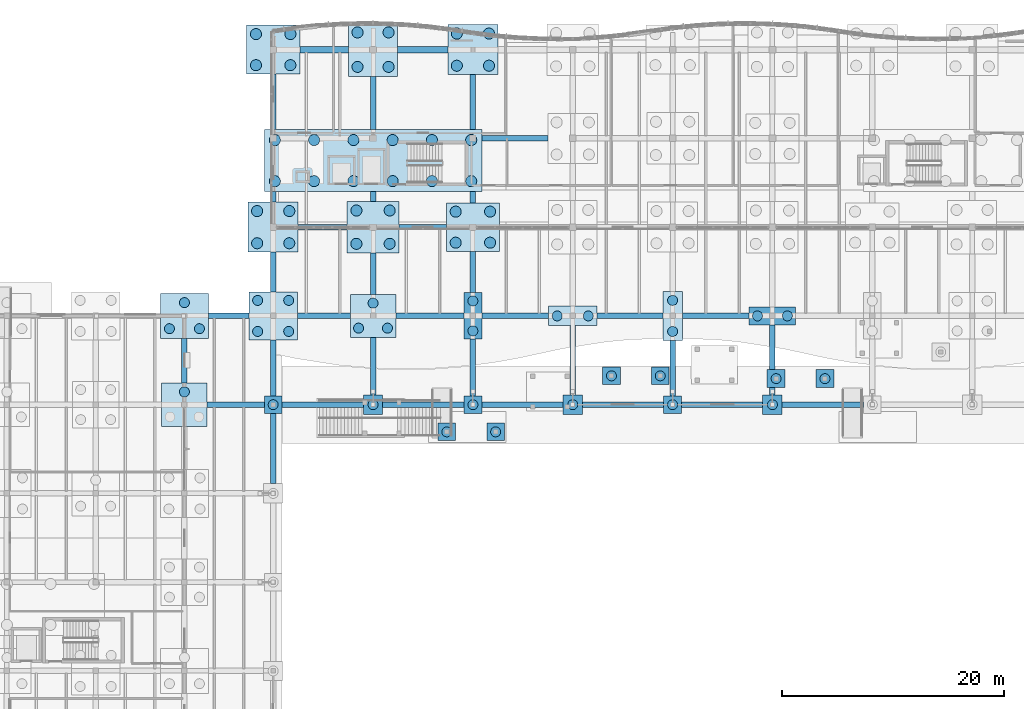
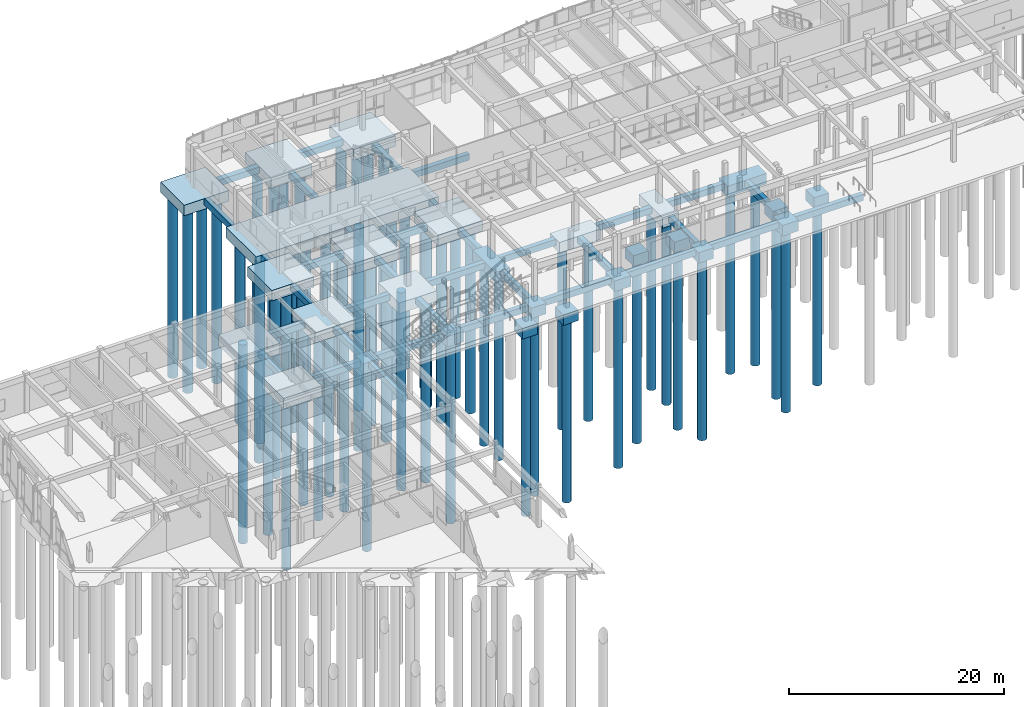
# One storey, part 4 of 99: 67 piles, 63 footings.
"""IFC4 building model written with IfcOpenShell, lengths in metres."""

from ifc_helpers import new_model, si_unit, direction, frame, origin, origin_2d, place, context, subcontext, project, spatial, rectangle, circle, extrude, material, material_profile, profile_set, type_object, element, save


model = new_model("IFC4")

# Units and contexts
model_context = context("Model", 3, precision=1e-05, world=origin(), true_north=direction((0.0, 1.0)))
body_context = subcontext(model_context, "Body", "Model", "MODEL_VIEW")
ifc_project = project(units=[si_unit("LENGTHUNIT", "METRE"), si_unit("AREAUNIT", "SQUARE_METRE"), si_unit("VOLUMEUNIT", "CUBIC_METRE"), si_unit("PLANEANGLEUNIT", "RADIAN"), si_unit("MASSUNIT", "GRAM", prefix="KILO")], contexts=[model_context])

# Site, building, storey
site_placement = place(None, origin())
site = spatial("IfcSite", under=ifc_project, at=site_placement, CompositionType="ELEMENT")
building_placement = place(site_placement, origin())
building = spatial("IfcBuilding", under=site, at=building_placement, Name="Tonlespit Floodbar School", CompositionType="ELEMENT")
storey_placement = place(building_placement, origin())
storey = spatial("IfcBuildingStorey", under=building, at=storey_placement, Name="L00", CompositionType="ELEMENT", Elevation=0.0)

# Footings
ifc_material_1 = material(Name="Concrete C40/50", Category="concrete")
footing_type_1 = type_object("IfcFootingType", Name="FootingBeam_RC_500x700", PredefinedType="FOOTING_BEAM", material=ifc_material_1)
footing_1_placement = place(storey_placement, frame((40.625, 88.0, -0.89990234375), z_axis=(0.0, 0.0, 1.0), x_axis=(1.0, 0.0, 0.0)))
element("IfcFooting", 1, at=footing_1_placement, inside=storey, type_object=footing_type_1, Name="Ground tie beam FB-087", PredefinedType="FOOTING_BEAM", context=body_context, shape_type="SweptSolid", body=[
    extrude(rectangle(XDim=5.14990234375, YDim=0.5, at=origin_2d()), origin(), (0.0, 0.0, 1.0), 0.699951171875),
])
for number, where, z_axis, x_axis, name in (
    (2, (48.46240234375, 88.0, -0.89990234375), (0.0, 0.0, 1.0), (1.0, 0.0, 0.0), "Ground tie beam FB-088"),
    (3, (57.53759765625, 88.0, -0.89990234375), (0.0, 0.0, 1.0), (1.0, 0.0, 0.0), "Ground tie beam FB-089"),
    (4, (66.46240234375, 88.0, -0.89990234375), (0.0, 0.0, 1.0), (1.0, 0.0, 0.0), "Ground tie beam FB-090"),
    (5, (75.53759765625, 88.0, -0.89990234375), (0.0, 0.0, 1.0), (1.0, 0.0, 0.0), "Ground tie beam FB-091"),
    (6, (84.46240234375, 88.0, -0.89990234375), (0.0, 0.0, 1.0), (1.0, 0.0, 0.0), "Ground tie beam FB-092"),
    (7, (93.53759765625, 88.0, -0.89990234375), (0.0, 0.0, 1.0), (1.0, 0.0, 0.0), "Ground tie beam FB-093"),
):
    element("IfcFooting", number, at=place(storey_placement, frame(where, z_axis=z_axis, x_axis=x_axis)), inside=storey, type_object=footing_type_1, Name=name, PredefinedType="FOOTING_BEAM", context=body_context, shape_type="SweptSolid", body=[
        extrude(rectangle(XDim=7.324951171875, YDim=0.5, at=origin_2d()), origin(), (0.0, 0.0, 1.0), 0.699951171875),
    ])
footing_2_placement = place(storey_placement, frame((39.987548828125, 96.0, -0.89990234375), z_axis=(0.0, 0.0, 1.0), x_axis=(1.0, 0.0, 0.0)))
element("IfcFooting", 8, at=footing_2_placement, inside=storey, type_object=footing_type_1, Name="Ground tie beam FB-104", PredefinedType="FOOTING_BEAM", context=body_context, shape_type="SweptSolid", body=[
    extrude(rectangle(XDim=3.675048828125, YDim=0.5, at=origin_2d()), origin(), (0.0, 0.0, 1.0), 0.699951171875),
])
footing_3_placement = place(storey_placement, frame((48.5625, 96.0, -0.89990234375), z_axis=(0.0, 0.0, 1.0), x_axis=(1.0, 0.0, 0.0)))
element("IfcFooting", 9, at=footing_3_placement, inside=storey, type_object=footing_type_1, Name="Ground tie beam FB-105", PredefinedType="FOOTING_BEAM", context=body_context, shape_type="SweptSolid", body=[
    extrude(rectangle(XDim=4.77490234375, YDim=0.5, at=origin_2d()), origin(), (0.0, 0.0, 1.0), 0.699951171875),
])
footing_4_placement = place(storey_placement, frame((58.125, 96.0, -0.89990234375), z_axis=(0.0, 0.0, 1.0), x_axis=(1.0, 0.0, 0.0)))
element("IfcFooting", 10, at=footing_4_placement, inside=storey, type_object=footing_type_1, Name="Ground tie beam FB-106", PredefinedType="FOOTING_BEAM", context=body_context, shape_type="SweptSolid", body=[
    extrude(rectangle(XDim=6.14990234375, YDim=0.5, at=origin_2d()), origin(), (0.0, 0.0, 1.0), 0.699951171875),
])
footing_5_placement = place(storey_placement, frame((65.800048828125, 96.0, -0.89990234375), z_axis=(0.0, 0.0, 1.0), x_axis=(1.0, 0.0, 0.0)))
element("IfcFooting", 11, at=footing_5_placement, inside=storey, type_object=footing_type_1, Name="Ground tie beam FB-107", PredefinedType="FOOTING_BEAM", context=body_context, shape_type="SweptSolid", body=[
    extrude(rectangle(XDim=6.0, YDim=0.5, at=origin_2d()), origin(), (0.0, 0.0, 1.0), 0.699951171875),
])
footing_6_placement = place(storey_placement, frame((76.16259765625, 96.0, -0.89990234375), z_axis=(0.0, 0.0, 1.0), x_axis=(1.0, 0.0, 0.0)))
element("IfcFooting", 12, at=footing_6_placement, inside=storey, type_object=footing_type_1, Name="Ground tie beam FB-108", PredefinedType="FOOTING_BEAM", context=body_context, shape_type="SweptSolid", body=[
    extrude(rectangle(XDim=5.925048828125, YDim=0.5, at=origin_2d()), origin(), (0.0, 0.0, 1.0), 0.699951171875),
])
footing_7_placement = place(storey_placement, frame((83.887451171875, 96.0, -0.89990234375), z_axis=(0.0, 0.0, 1.0), x_axis=(1.0, 0.0, 0.0)))
element("IfcFooting", 13, at=footing_7_placement, inside=storey, type_object=footing_type_1, Name="Ground tie beam FB-109", PredefinedType="FOOTING_BEAM", context=body_context, shape_type="SweptSolid", body=[
    extrude(rectangle(XDim=6.02490234375, YDim=0.5, at=origin_2d()), origin(), (0.0, 0.0, 1.0), 0.699951171875),
])
footing_8_placement = place(storey_placement, frame((48.46240234375, 104.0, -0.89990234375), z_axis=(0.0, 0.0, 1.0), x_axis=(1.0, 0.0, 0.0)))
element("IfcFooting", 14, at=footing_8_placement, inside=storey, type_object=footing_type_1, Name="Ground tie beam FB-117", PredefinedType="FOOTING_BEAM", context=body_context, shape_type="SweptSolid", body=[
    extrude(rectangle(XDim=4.425048828125, YDim=0.5, at=origin_2d()), origin(), (0.0, 0.0, 1.0), 0.699951171875),
])
footing_9_placement = place(storey_placement, frame((57.46240234375, 104.0, -0.89990234375), z_axis=(0.0, 0.0, 1.0), x_axis=(1.0, 0.0, 0.0)))
element("IfcFooting", 15, at=footing_9_placement, inside=storey, type_object=footing_type_1, Name="Ground tie beam FB-118", PredefinedType="FOOTING_BEAM", context=body_context, shape_type="SweptSolid", body=[
    extrude(rectangle(XDim=4.27490234375, YDim=0.5, at=origin_2d()), origin(), (0.0, 0.0, 1.0), 0.699951171875),
])
footing_10_placement = place(storey_placement, frame((65.77490234375, 112.0, -0.89990234375), z_axis=(0.0, 0.0, 1.0), x_axis=(1.0, 0.0, 0.0)))
element("IfcFooting", 16, at=footing_10_placement, inside=storey, type_object=footing_type_1, Name="Ground tie beam FB-134", PredefinedType="FOOTING_BEAM", context=body_context, shape_type="SweptSolid", body=[
    extrude(rectangle(XDim=5.949951171875, YDim=0.5, at=origin_2d()), origin(), (0.0, 0.0, 1.0), 0.699951171875),
])
footing_11_placement = place(storey_placement, frame((36.0, 91.96240234375, -0.89990234375), z_axis=(0.0, 0.0, 1.0), x_axis=(0.0, 1.0, 0.0)))
element("IfcFooting", 17, at=footing_11_placement, inside=storey, type_object=footing_type_1, Name="Ground tie beam FB-216", PredefinedType="FOOTING_BEAM", context=body_context, shape_type="SweptSolid", body=[
    extrude(rectangle(XDim=4.02490234375, YDim=0.5, at=origin_2d()), origin(), (0.0, 0.0, 1.0), 0.699951171875),
])
footing_12_placement = place(storey_placement, frame((44.0, 84.03759765625, -0.89990234375), z_axis=(0.0, 0.0, 1.0), x_axis=(0.0, 1.0, 0.0)))
element("IfcFooting", 18, at=footing_12_placement, inside=storey, type_object=footing_type_1, Name="Ground tie beam FB-228", PredefinedType="FOOTING_BEAM", context=body_context, shape_type="SweptSolid", body=[
    extrude(rectangle(XDim=6.324951171875, YDim=0.5, at=origin_2d()), origin(), (0.0, 0.0, 1.0), 0.699951171875),
])
footing_13_placement = place(storey_placement, frame((44.0, 91.3125, -0.89990234375), z_axis=(0.0, 0.0, 1.0), x_axis=(0.0, 1.0, 0.0)))
element("IfcFooting", 19, at=footing_13_placement, inside=storey, type_object=footing_type_1, Name="Ground tie beam FB-229", PredefinedType="FOOTING_BEAM", context=body_context, shape_type="SweptSolid", body=[
    extrude(rectangle(XDim=5.02490234375, YDim=0.5, at=origin_2d()), origin(), (0.0, 0.0, 1.0), 0.699951171875),
])
footing_14_placement = place(storey_placement, frame((44.0, 99.96240234375, -0.89990234375), z_axis=(0.0, 0.0, 1.0), x_axis=(0.0, 1.0, 0.0)))
element("IfcFooting", 20, at=footing_14_placement, inside=storey, type_object=footing_type_1, Name="Ground tie beam FB-230", PredefinedType="FOOTING_BEAM", context=body_context, shape_type="SweptSolid", body=[
    extrude(rectangle(XDim=3.574951171875, YDim=0.5, at=origin_2d()), origin(), (0.0, 0.0, 1.0), 0.699951171875),
])
footing_15_placement = place(storey_placement, frame((44.0, 106.72509765625, -0.89990234375), z_axis=(0.0, 0.0, 1.0), x_axis=(0.0, 1.0, 0.0)))
element("IfcFooting", 21, at=footing_15_placement, inside=storey, type_object=footing_type_1, Name="Ground tie beam FB-231", PredefinedType="FOOTING_BEAM", context=body_context, shape_type="SweptSolid", body=[
    extrude(rectangle(XDim=0.949951171875, YDim=0.5, at=origin_2d()), origin(), (0.0, 0.0, 1.0), 0.699951171875),
])
footing_16_placement = place(storey_placement, frame((44.0, 115.300048828125, -0.89990234375), z_axis=(0.0, 0.0, 1.0), x_axis=(0.0, 1.0, 0.0)))
element("IfcFooting", 22, at=footing_16_placement, inside=storey, type_object=footing_type_1, Name="Ground tie beam FB-232", PredefinedType="FOOTING_BEAM", context=body_context, shape_type="SweptSolid", body=[
    extrude(rectangle(XDim=5.0, YDim=0.5, at=origin_2d()), origin(), (0.0, 0.0, 1.0), 0.699951171875),
])
footing_17_placement = place(storey_placement, frame((53.0, 91.46240234375, -0.89990234375), z_axis=(0.0, 0.0, 1.0), x_axis=(0.0, 1.0, 0.0)))
element("IfcFooting", 23, at=footing_17_placement, inside=storey, type_object=footing_type_1, Name="Ground tie beam FB-233", PredefinedType="FOOTING_BEAM", context=body_context, shape_type="SweptSolid", body=[
    extrude(rectangle(XDim=5.175048828125, YDim=0.5, at=origin_2d()), origin(), (0.0, 0.0, 1.0), 0.699951171875),
])
footing_18_placement = place(storey_placement, frame((53.0, 99.8125, -0.89990234375), z_axis=(0.0, 0.0, 1.0), x_axis=(0.0, 1.0, 0.0)))
element("IfcFooting", 24, at=footing_18_placement, inside=storey, type_object=footing_type_1, Name="Ground tie beam FB-234", PredefinedType="FOOTING_BEAM", context=body_context, shape_type="SweptSolid", body=[
    extrude(rectangle(XDim=3.72509765625, YDim=0.5, at=origin_2d()), origin(), (0.0, 0.0, 1.0), 0.699951171875),
])
footing_19_placement = place(storey_placement, frame((53.0, 106.762451171875, -0.89990234375), z_axis=(0.0, 0.0, 1.0), x_axis=(0.0, 1.0, 0.0)))
element("IfcFooting", 25, at=footing_19_placement, inside=storey, type_object=footing_type_1, Name="Ground tie beam FB-235", PredefinedType="FOOTING_BEAM", context=body_context, shape_type="SweptSolid", body=[
    extrude(rectangle(XDim=0.875, YDim=0.5, at=origin_2d()), origin(), (0.0, 0.0, 1.0), 0.699951171875),
])
footing_20_placement = place(storey_placement, frame((53.0, 115.199951171875, -0.89990234375), z_axis=(0.0, 0.0, 1.0), x_axis=(0.0, 1.0, 0.0)))
element("IfcFooting", 26, at=footing_20_placement, inside=storey, type_object=footing_type_1, Name="Ground tie beam FB-236", PredefinedType="FOOTING_BEAM", context=body_context, shape_type="SweptSolid", body=[
    extrude(rectangle(XDim=4.800048828125, YDim=0.5, at=origin_2d()), origin(), (0.0, 0.0, 1.0), 0.699951171875),
])
footing_21_placement = place(storey_placement, frame((62.0, 91.35009765625, -0.89990234375), z_axis=(0.0, 0.0, 1.0), x_axis=(0.0, 1.0, 0.0)))
element("IfcFooting", 27, at=footing_21_placement, inside=storey, type_object=footing_type_1, Name="Ground tie beam FB-237", PredefinedType="FOOTING_BEAM", context=body_context, shape_type="SweptSolid", body=[
    extrude(rectangle(XDim=5.10009765625, YDim=0.5, at=origin_2d()), origin(), (0.0, 0.0, 1.0), 0.699951171875),
])
footing_22_placement = place(storey_placement, frame((62.0, 99.949951171875, -0.89990234375), z_axis=(0.0, 0.0, 1.0), x_axis=(0.0, 1.0, 0.0)))
element("IfcFooting", 28, at=footing_22_placement, inside=storey, type_object=footing_type_1, Name="Ground tie beam FB-238", PredefinedType="FOOTING_BEAM", context=body_context, shape_type="SweptSolid", body=[
    extrude(rectangle(XDim=3.699951171875, YDim=0.5, at=origin_2d()), origin(), (0.0, 0.0, 1.0), 0.699951171875),
])
footing_23_placement = place(storey_placement, frame((62.0, 106.699951171875, -0.89990234375), z_axis=(0.0, 0.0, 1.0), x_axis=(0.0, 1.0, 0.0)))
element("IfcFooting", 29, at=footing_23_placement, inside=storey, type_object=footing_type_1, Name="Ground tie beam FB-239", PredefinedType="FOOTING_BEAM", context=body_context, shape_type="SweptSolid", body=[
    extrude(rectangle(XDim=1.0, YDim=0.5, at=origin_2d()), origin(), (0.0, 0.0, 1.0), 0.699951171875),
])
footing_24_placement = place(storey_placement, frame((62.0, 115.27490234375, -0.89990234375), z_axis=(0.0, 0.0, 1.0), x_axis=(0.0, 1.0, 0.0)))
element("IfcFooting", 30, at=footing_24_placement, inside=storey, type_object=footing_type_1, Name="Ground tie beam FB-240", PredefinedType="FOOTING_BEAM", context=body_context, shape_type="SweptSolid", body=[
    extrude(rectangle(XDim=4.949951171875, YDim=0.5, at=origin_2d()), origin(), (0.0, 0.0, 1.0), 0.699951171875),
])
footing_25_placement = place(storey_placement, frame((71.0, 92.0, -0.89990234375), z_axis=(0.0, 0.0, 1.0), x_axis=(0.0, 1.0, 0.0)))
element("IfcFooting", 31, at=footing_25_placement, inside=storey, type_object=footing_type_1, Name="Ground tie beam FB-241", PredefinedType="FOOTING_BEAM", context=body_context, shape_type="SweptSolid", body=[
    extrude(rectangle(XDim=6.25, YDim=0.5, at=origin_2d()), origin(), (0.0, 0.0, 1.0), 0.699951171875),
])
footing_26_placement = place(storey_placement, frame((80.0, 91.300048828125, -0.89990234375), z_axis=(0.0, 0.0, 1.0), x_axis=(0.0, 1.0, 0.0)))
element("IfcFooting", 32, at=footing_26_placement, inside=storey, type_object=footing_type_1, Name="Ground tie beam FB-245", PredefinedType="FOOTING_BEAM", context=body_context, shape_type="SweptSolid", body=[
    extrude(rectangle(XDim=5.0, YDim=0.5, at=origin_2d()), origin(), (0.0, 0.0, 1.0), 0.699951171875),
])
footing_27_placement = place(storey_placement, frame((89.0, 89.21240234375, -0.89990234375), z_axis=(0.0, 0.0, 1.0), x_axis=(0.0, 1.0, 0.0)))
element("IfcFooting", 33, at=footing_27_placement, inside=storey, type_object=footing_type_1, Name="Ground tie beam FB-249", PredefinedType="FOOTING_BEAM", context=body_context, shape_type="SweptSolid", body=[
    extrude(rectangle(XDim=0.675048828125, YDim=0.5, at=origin_2d()), origin(), (0.0, 0.0, 1.0), 0.699951171875),
])
footing_28_placement = place(storey_placement, frame((89.0, 93.175048828125, -0.89990234375), z_axis=(0.0, 0.0, 1.0), x_axis=(0.0, 1.0, 0.0)))
element("IfcFooting", 34, at=footing_28_placement, inside=storey, type_object=footing_type_1, Name="Ground tie beam FB-250", PredefinedType="FOOTING_BEAM", context=body_context, shape_type="SweptSolid", body=[
    extrude(rectangle(XDim=4.050048828125, YDim=0.5, at=origin_2d()), origin(), (0.0, 0.0, 1.0), 0.699951171875),
])
footing_type_2 = type_object("IfcFootingType", Name="PileCap_1P_1600", PredefinedType="PILE_CAP", material=ifc_material_1)
for number, where, z_axis, x_axis, name in (
    (35, (44.0, 88.0, -1.39990234375), (0.0, 0.0, 1.0), (1.0, 0.0, 0.0), "Pile cap FC-079 at U06/V13"),
    (36, (62.0, 88.0, -1.39990234375), (0.0, 0.0, 1.0), (1.0, 0.0, 0.0), "Pile cap FC-089 at U08/V13"),
    (37, (80.0, 88.0, -1.39990234375), (0.0, 0.0, 1.0), (1.0, 0.0, 0.0), "Pile cap FC-099 at U10/V13"),
    (38, (59.64990234375, 85.550048828125, -1.39990234375), (0.0, 0.0, 1.0), (1.0, 0.0, 0.0), "Courtyard amphitheatre cap FC-AMP-1-1"),
    (39, (64.050048828125, 85.550048828125, -1.39990234375), (0.0, 0.0, 1.0), (1.0, 0.0, 0.0), "Courtyard amphitheatre cap FC-AMP-1-2"),
    (40, (74.489990234375, 90.60009765625, -1.39990234375), (0.0, 0.0, 1.0), (1.0, 0.0, 0.0), "Courtyard amphitheatre cap FC-AMP-2-1"),
    (41, (78.889892578125, 90.60009765625, -1.39990234375), (0.0, 0.0, 1.0), (1.0, 0.0, 0.0), "Courtyard amphitheatre cap FC-AMP-2-2"),
    (42, (89.330078125, 90.35009765625, -1.39990234375), (0.0, 0.0, 1.0), (1.0, 0.0, 0.0), "Courtyard amphitheatre cap FC-AMP-3-1"),
    (43, (93.72998046875, 90.35009765625, -1.39990234375), (0.0, 0.0, 1.0), (1.0, 0.0, 0.0), "Courtyard amphitheatre cap FC-AMP-3-2"),
):
    element("IfcFooting", number, at=place(storey_placement, frame(where, z_axis=z_axis, x_axis=x_axis)), inside=storey, type_object=footing_type_2, Name=name, PredefinedType="PILE_CAP", context=body_context, shape_type="SweptSolid", body=[
        extrude(rectangle(XDim=1.60009765625, YDim=1.60009765625, at=origin_2d()), origin(), (0.0, 0.0, 1.0), 1.199951171875),
    ])
footing_type_3 = type_object("IfcFootingType", Name="PileCap_1P_1750", PredefinedType="PILE_CAP", material=ifc_material_1)
for number, where, z_axis, x_axis, name in (
    (44, (53.0, 88.0, -1.39990234375), (0.0, 0.0, 1.0), (1.0, 0.0, 0.0), "Pile cap FC-084 at U07/V13"),
    (45, (71.0, 88.0, -1.39990234375), (0.0, 0.0, 1.0), (1.0, 0.0, 0.0), "Pile cap FC-094 at U09/V13"),
    (46, (89.0, 88.0, -1.39990234375), (0.0, 0.0, 1.0), (1.0, 0.0, 0.0), "Pile cap FC-104 at U11/V13"),
):
    element("IfcFooting", number, at=place(storey_placement, frame(where, z_axis=z_axis, x_axis=x_axis)), inside=storey, type_object=footing_type_3, Name=name, PredefinedType="PILE_CAP", context=body_context, shape_type="SweptSolid", body=[
        extrude(rectangle(XDim=1.75, YDim=1.75, at=origin_2d()), origin(), (0.0, 0.0, 1.0), 1.199951171875),
    ])
footing_type_4 = type_object("IfcFootingType", Name="PileCap_2PX_4200x1600", PredefinedType="PILE_CAP", material=ifc_material_1)
footing_29_placement = place(storey_placement, frame((89.0, 96.0, -1.39990234375), z_axis=(0.0, 0.0, 1.0), x_axis=(1.0, 0.0, 0.0)))
element("IfcFooting", 47, at=footing_29_placement, inside=storey, type_object=footing_type_4, Name="Pile cap FC-105 at U11/V14", PredefinedType="PILE_CAP", context=body_context, shape_type="SweptSolid", body=[
    extrude(rectangle(XDim=4.199951171875, YDim=1.60009765625, at=origin_2d()), origin(), (0.0, 0.0, 1.0), 1.199951171875),
])
footing_type_5 = type_object("IfcFootingType", Name="PileCap_2PX_4400x1750", PredefinedType="PILE_CAP", material=ifc_material_1)
footing_30_placement = place(storey_placement, frame((71.0, 96.0, -1.39990234375), z_axis=(0.0, 0.0, 1.0), x_axis=(1.0, 0.0, 0.0)))
element("IfcFooting", 48, at=footing_30_placement, inside=storey, type_object=footing_type_5, Name="Pile cap FC-095 at U09/V14", PredefinedType="PILE_CAP", context=body_context, shape_type="SweptSolid", body=[
    extrude(rectangle(XDim=4.39990234375, YDim=1.75, at=origin_2d()), origin(), (0.0, 0.0, 1.0), 1.199951171875),
])
footing_type_6 = type_object("IfcFootingType", Name="PileCap_2PY_1600x4200", PredefinedType="PILE_CAP", material=ifc_material_1)
footing_31_placement = place(storey_placement, frame((62.0, 96.0, -1.39990234375), z_axis=(0.0, 0.0, 1.0), x_axis=(1.0, 0.0, 0.0)))
element("IfcFooting", 49, at=footing_31_placement, inside=storey, type_object=footing_type_6, Name="Pile cap FC-090 at U08/V14", PredefinedType="PILE_CAP", context=body_context, shape_type="SweptSolid", body=[
    extrude(rectangle(XDim=1.60009765625, YDim=4.199951171875, at=origin_2d()), origin(), (0.0, 0.0, 1.0), 1.199951171875),
])
footing_type_7 = type_object("IfcFootingType", Name="PileCap_2PY_1750x4400", PredefinedType="PILE_CAP", material=ifc_material_1)
footing_32_placement = place(storey_placement, frame((80.0, 96.0, -1.39990234375), z_axis=(0.0, 0.0, 1.0), x_axis=(1.0, 0.0, 0.0)))
element("IfcFooting", 50, at=footing_32_placement, inside=storey, type_object=footing_type_7, Name="Pile cap FC-100 at U10/V14", PredefinedType="PILE_CAP", context=body_context, shape_type="SweptSolid", body=[
    extrude(rectangle(XDim=1.75, YDim=4.39990234375, at=origin_2d()), origin(), (0.0, 0.0, 1.0), 1.199951171875),
])
footing_type_8 = type_object("IfcFootingType", Name="PileCap_3P_4100x3900", PredefinedType="PILE_CAP", material=ifc_material_1)
for number, where, z_axis, x_axis, name in (
    (51, (36.0, 88.0, -1.39990234375), (0.0, 0.0, 1.0), (1.0, 0.0, 0.0), "Pile cap FC-065 at U05/V13"),
    (52, (53.0, 96.0, -1.39990234375), (0.0, 0.0, 1.0), (1.0, 0.0, 0.0), "Pile cap FC-085 at U07/V14"),
):
    element("IfcFooting", number, at=place(storey_placement, frame(where, z_axis=z_axis, x_axis=x_axis)), inside=storey, type_object=footing_type_8, Name=name, PredefinedType="PILE_CAP", context=body_context, shape_type="SweptSolid", body=[
        extrude(rectangle(XDim=4.10009765625, YDim=3.89990234375, at=origin_2d()), origin(), (0.0, 0.0, 1.0), 1.199951171875),
    ])
footing_type_9 = type_object("IfcFootingType", Name="PileCap_3P_4300x4050", PredefinedType="PILE_CAP", material=ifc_material_1)
footing_33_placement = place(storey_placement, frame((36.0, 96.0, -1.39990234375), z_axis=(0.0, 0.0, 1.0), x_axis=(1.0, 0.0, 0.0)))
element("IfcFooting", 53, at=footing_33_placement, inside=storey, type_object=footing_type_9, Name="Pile cap FC-066 at U05/V14", PredefinedType="PILE_CAP", context=body_context, shape_type="SweptSolid", body=[
    extrude(rectangle(XDim=4.300048828125, YDim=4.050048828125, at=origin_2d()), origin(), (0.0, 0.0, 1.0), 1.199951171875),
])
footing_type_10 = type_object("IfcFootingType", Name="PileCap_4P_4350x4350", PredefinedType="PILE_CAP", material=ifc_material_1)
footing_34_placement = place(storey_placement, frame((44.0, 96.0, -1.39990234375), z_axis=(0.0, 0.0, 1.0), x_axis=(1.0, 0.0, 0.0)))
element("IfcFooting", 54, at=footing_34_placement, inside=storey, type_object=footing_type_10, Name="Pile cap FC-080 at U06/V14", PredefinedType="PILE_CAP", context=body_context, shape_type="SweptSolid", body=[
    extrude(rectangle(XDim=4.35009765625, YDim=4.35009765625, at=origin_2d()), origin(), (0.0, 0.0, 1.0), 1.199951171875),
])
footing_type_11 = type_object("IfcFootingType", Name="PileCap_4P_4400x4800", PredefinedType="PILE_CAP", material=ifc_material_1)
footing_35_placement = place(storey_placement, frame((53.0, 120.0, -1.39990234375), z_axis=(0.0, 0.0, 1.0), x_axis=(1.0, 0.0, 0.0)))
element("IfcFooting", 55, at=footing_35_placement, inside=storey, type_object=footing_type_11, Name="Pile cap FC-088 at U07/V17", PredefinedType="PILE_CAP", context=body_context, shape_type="SweptSolid", body=[
    extrude(rectangle(XDim=4.39990234375, YDim=4.800048828125, at=origin_2d()), origin(), (0.0, 0.0, 1.0), 1.199951171875),
])
footing_type_12 = type_object("IfcFootingType", Name="PileCap_4P_4500x4500", PredefinedType="PILE_CAP", material=ifc_material_1)
for number, where, z_axis, x_axis, name in (
    (56, (44.0, 104.0, -1.39990234375), (0.0, 0.0, 1.0), (1.0, 0.0, 0.0), "Pile cap FC-081 at U06/V15"),
    (57, (62.0, 120.0, -1.39990234375), (0.0, 0.0, 1.0), (1.0, 0.0, 0.0), "Pile cap FC-093 at U08/V17"),
):
    element("IfcFooting", number, at=place(storey_placement, frame(where, z_axis=z_axis, x_axis=x_axis)), inside=storey, type_object=footing_type_12, Name=name, PredefinedType="PILE_CAP", context=body_context, shape_type="SweptSolid", body=[
        extrude(rectangle(XDim=4.5, YDim=4.5, at=origin_2d()), origin(), (0.0, 0.0, 1.0), 1.199951171875),
    ])
footing_type_13 = type_object("IfcFootingType", Name="PileCap_4P_4650x4650", PredefinedType="PILE_CAP", material=ifc_material_1)
footing_36_placement = place(storey_placement, frame((53.0, 104.0, -1.39990234375), z_axis=(0.0, 0.0, 1.0), x_axis=(1.0, 0.0, 0.0)))
element("IfcFooting", 58, at=footing_36_placement, inside=storey, type_object=footing_type_13, Name="Pile cap FC-086 at U07/V15", PredefinedType="PILE_CAP", context=body_context, shape_type="SweptSolid", body=[
    extrude(rectangle(XDim=4.64990234375, YDim=4.64990234375, at=origin_2d()), origin(), (0.0, 0.0, 1.0), 1.199951171875),
])
footing_type_14 = type_object("IfcFootingType", Name="PileCap_4P_4800x4400", PredefinedType="PILE_CAP", material=ifc_material_1)
for number, where, z_axis, x_axis, name in (
    (59, (44.0, 120.0, -1.39990234375), (0.0, 0.0, 1.0), (1.0, 0.0, 0.0), "Pile cap FC-083 at U06/V17"),
    (60, (62.0, 104.0, -1.39990234375), (0.0, 0.0, 1.0), (1.0, 0.0, 0.0), "Pile cap FC-091 at U08/V15"),
):
    element("IfcFooting", number, at=place(storey_placement, frame(where, z_axis=z_axis, x_axis=x_axis)), inside=storey, type_object=footing_type_14, Name=name, PredefinedType="PILE_CAP", context=body_context, shape_type="SweptSolid", body=[
        extrude(rectangle(XDim=4.800048828125, YDim=4.39990234375, at=origin_2d()), origin(), (0.0, 0.0, 1.0), 1.199951171875),
    ])
footing_type_15 = type_object("IfcFootingType", Name="PileCap_Core_C1", PredefinedType="PILE_CAP", material=ifc_material_1)
footing_37_placement = place(storey_placement, frame((53.0, 110.0, -1.39990234375), z_axis=(0.0, 0.0, 1.0), x_axis=(1.0, 0.0, 0.0)))
element("IfcFooting", 61, at=footing_37_placement, inside=storey, type_object=footing_type_15, Name="Core C1 pile cap", PredefinedType="PILE_CAP", context=body_context, shape_type="SweptSolid", body=[
    extrude(rectangle(XDim=19.60009765625, YDim=5.60009765625, at=origin_2d()), origin(), (0.0, 0.0, 1.0), 1.199951171875),
])

# Piles
ifc_material_2 = material(Name="Concrete C35/45", Category="concrete")
ifc_material_profile_1 = material_profile(ifc_material_2, circle(Radius=0.5, at=origin_2d()), Name="BP D1000")
ifc_profile_set_1 = profile_set([ifc_material_profile_1], Name="Concrete C35/45")
pile_type_1 = type_object("IfcPileType", Name="Pile_RC_D1000", PredefinedType="BORED", material=ifc_profile_set_1)
for number, where, z_axis, x_axis, name in (
    (62, (44.14990234375, 108.14990234375, -1.300048828125), (0.0, 0.0, -1.0), (1.0, 0.0, 0.0), "Bored pile PL-0001"),
    (63, (44.14990234375, 111.85009765625, -1.300048828125), (0.0, 0.0, -1.0), (1.0, 0.0, 0.0), "Bored pile PL-0002"),
    (64, (47.68994140625, 108.14990234375, -1.300048828125), (0.0, 0.0, -1.0), (1.0, 0.0, 0.0), "Bored pile PL-0003"),
    (65, (47.68994140625, 111.85009765625, -1.300048828125), (0.0, 0.0, -1.0), (1.0, 0.0, 0.0), "Bored pile PL-0004"),
    (66, (51.22998046875, 108.14990234375, -1.300048828125), (0.0, 0.0, -1.0), (1.0, 0.0, 0.0), "Bored pile PL-0005"),
    (67, (51.22998046875, 111.85009765625, -1.300048828125), (0.0, 0.0, -1.0), (1.0, 0.0, 0.0), "Bored pile PL-0006"),
    (68, (54.77001953125, 108.14990234375, -1.300048828125), (0.0, 0.0, -1.0), (1.0, 0.0, 0.0), "Bored pile PL-0007"),
    (69, (54.77001953125, 111.85009765625, -1.300048828125), (0.0, 0.0, -1.0), (1.0, 0.0, 0.0), "Bored pile PL-0008"),
    (70, (58.31005859375, 108.14990234375, -1.300048828125), (0.0, 0.0, -1.0), (1.0, 0.0, 0.0), "Bored pile PL-0009"),
    (71, (58.31005859375, 111.85009765625, -1.300048828125), (0.0, 0.0, -1.0), (1.0, 0.0, 0.0), "Bored pile PL-0010"),
    (72, (61.85009765625, 108.14990234375, -1.300048828125), (0.0, 0.0, -1.0), (1.0, 0.0, 0.0), "Bored pile PL-0011"),
    (73, (61.85009765625, 111.85009765625, -1.300048828125), (0.0, 0.0, -1.0), (1.0, 0.0, 0.0), "Bored pile PL-0012"),
    (74, (42.550048828125, 102.550048828125, -1.300048828125), (0.0, 0.0, -1.0), (1.0, 0.0, 0.0), "Bored pile PL-0263"),
    (75, (45.449951171875, 102.550048828125, -1.300048828125), (0.0, 0.0, -1.0), (1.0, 0.0, 0.0), "Bored pile PL-0264"),
    (76, (42.550048828125, 105.449951171875, -1.300048828125), (0.0, 0.0, -1.0), (1.0, 0.0, 0.0), "Bored pile PL-0265"),
    (77, (45.449951171875, 105.449951171875, -1.300048828125), (0.0, 0.0, -1.0), (1.0, 0.0, 0.0), "Bored pile PL-0266"),
    (78, (42.449951171875, 118.60009765625, -1.300048828125), (0.0, 0.0, -1.0), (1.0, 0.0, 0.0), "Bored pile PL-0267"),
    (79, (45.550048828125, 118.60009765625, -1.300048828125), (0.0, 0.0, -1.0), (1.0, 0.0, 0.0), "Bored pile PL-0268"),
    (80, (42.449951171875, 121.39990234375, -1.300048828125), (0.0, 0.0, -1.0), (1.0, 0.0, 0.0), "Bored pile PL-0269"),
    (81, (45.550048828125, 121.39990234375, -1.300048828125), (0.0, 0.0, -1.0), (1.0, 0.0, 0.0), "Bored pile PL-0270"),
    (82, (51.5, 102.5, -1.300048828125), (0.0, 0.0, -1.0), (1.0, 0.0, 0.0), "Bored pile PL-0275"),
    (83, (54.5, 102.5, -1.300048828125), (0.0, 0.0, -1.0), (1.0, 0.0, 0.0), "Bored pile PL-0276"),
    (84, (51.5, 105.5, -1.300048828125), (0.0, 0.0, -1.0), (1.0, 0.0, 0.0), "Bored pile PL-0277"),
    (85, (54.5, 105.5, -1.300048828125), (0.0, 0.0, -1.0), (1.0, 0.0, 0.0), "Bored pile PL-0278"),
    (86, (51.60009765625, 118.449951171875, -1.300048828125), (0.0, 0.0, -1.0), (1.0, 0.0, 0.0), "Bored pile PL-0279"),
    (87, (54.39990234375, 118.449951171875, -1.300048828125), (0.0, 0.0, -1.0), (1.0, 0.0, 0.0), "Bored pile PL-0280"),
    (88, (51.60009765625, 121.550048828125, -1.300048828125), (0.0, 0.0, -1.0), (1.0, 0.0, 0.0), "Bored pile PL-0281"),
    (89, (54.39990234375, 121.550048828125, -1.300048828125), (0.0, 0.0, -1.0), (1.0, 0.0, 0.0), "Bored pile PL-0282"),
    (90, (60.449951171875, 102.60009765625, -1.300048828125), (0.0, 0.0, -1.0), (1.0, 0.0, 0.0), "Bored pile PL-0286"),
    (91, (63.550048828125, 102.60009765625, -1.300048828125), (0.0, 0.0, -1.0), (1.0, 0.0, 0.0), "Bored pile PL-0287"),
    (92, (60.449951171875, 105.39990234375, -1.300048828125), (0.0, 0.0, -1.0), (1.0, 0.0, 0.0), "Bored pile PL-0288"),
    (93, (63.550048828125, 105.39990234375, -1.300048828125), (0.0, 0.0, -1.0), (1.0, 0.0, 0.0), "Bored pile PL-0289"),
    (94, (60.550048828125, 118.550048828125, -1.300048828125), (0.0, 0.0, -1.0), (1.0, 0.0, 0.0), "Bored pile PL-0290"),
    (95, (63.449951171875, 118.550048828125, -1.300048828125), (0.0, 0.0, -1.0), (1.0, 0.0, 0.0), "Bored pile PL-0291"),
    (96, (60.550048828125, 121.449951171875, -1.300048828125), (0.0, 0.0, -1.0), (1.0, 0.0, 0.0), "Bored pile PL-0292"),
    (97, (63.449951171875, 121.449951171875, -1.300048828125), (0.0, 0.0, -1.0), (1.0, 0.0, 0.0), "Bored pile PL-0293"),
):
    element("IfcPile", number, at=place(storey_placement, frame(where, z_axis=z_axis, x_axis=x_axis)), inside=storey, type_object=pile_type_1, Name=name, PredefinedType="BORED", context=body_context, shape_type="SweptSolid", body=[
        extrude(circle(Radius=0.5, at=origin_2d()), origin(), (0.0, 0.0, 1.0), 20.699951171875),
    ])
ifc_material_profile_2 = material_profile(ifc_material_2, circle(Radius=0.449951171875, at=origin_2d()), Name="BP D900")
ifc_profile_set_2 = profile_set([ifc_material_profile_2], Name="Concrete C35/45")
pile_type_2 = type_object("IfcPileType", Name="Pile_RC_D900", PredefinedType="BORED", material=ifc_profile_set_2)
for number, where, z_axis, x_axis, name in (
    (98, (36.0, 89.14990234375, -1.300048828125), (0.0, 0.0, -1.0), (1.0, 0.0, 0.0), "Bored pile PL-0242"),
    (99, (34.64990234375, 94.85009765625, -1.300048828125), (0.0, 0.0, -1.0), (1.0, 0.0, 0.0), "Bored pile PL-0243"),
    (100, (37.35009765625, 94.85009765625, -1.300048828125), (0.0, 0.0, -1.0), (1.0, 0.0, 0.0), "Bored pile PL-0244"),
    (101, (36.0, 97.199951171875, -1.300048828125), (0.0, 0.0, -1.0), (1.0, 0.0, 0.0), "Bored pile PL-0245"),
    (102, (44.0, 88.0, -1.300048828125), (0.0, 0.0, -1.0), (1.0, 0.0, 0.0), "Bored pile PL-0258"),
    (103, (42.60009765625, 94.60009765625, -1.300048828125), (0.0, 0.0, -1.0), (1.0, 0.0, 0.0), "Bored pile PL-0259"),
    (104, (45.39990234375, 94.60009765625, -1.300048828125), (0.0, 0.0, -1.0), (1.0, 0.0, 0.0), "Bored pile PL-0260"),
    (105, (42.60009765625, 97.39990234375, -1.300048828125), (0.0, 0.0, -1.0), (1.0, 0.0, 0.0), "Bored pile PL-0261"),
    (106, (45.39990234375, 97.39990234375, -1.300048828125), (0.0, 0.0, -1.0), (1.0, 0.0, 0.0), "Bored pile PL-0262"),
    (107, (53.0, 88.0, -1.300048828125), (0.0, 0.0, -1.0), (1.0, 0.0, 0.0), "Bored pile PL-0271"),
    (108, (51.699951171875, 94.89990234375, -1.300048828125), (0.0, 0.0, -1.0), (1.0, 0.0, 0.0), "Bored pile PL-0272"),
    (109, (54.300048828125, 94.89990234375, -1.300048828125), (0.0, 0.0, -1.0), (1.0, 0.0, 0.0), "Bored pile PL-0273"),
    (110, (53.0, 97.14990234375, -1.300048828125), (0.0, 0.0, -1.0), (1.0, 0.0, 0.0), "Bored pile PL-0274"),
    (111, (62.0, 88.0, -1.300048828125), (0.0, 0.0, -1.0), (1.0, 0.0, 0.0), "Bored pile PL-0283"),
    (112, (62.0, 94.64990234375, -1.300048828125), (0.0, 0.0, -1.0), (1.0, 0.0, 0.0), "Bored pile PL-0284"),
    (113, (62.0, 97.35009765625, -1.300048828125), (0.0, 0.0, -1.0), (1.0, 0.0, 0.0), "Bored pile PL-0285"),
    (114, (71.0, 88.0, -1.300048828125), (0.0, 0.0, -1.0), (1.0, 0.0, 0.0), "Bored pile PL-0294"),
    (115, (69.60009765625, 96.0, -1.300048828125), (0.0, 0.0, -1.0), (1.0, 0.0, 0.0), "Bored pile PL-0295"),
    (116, (72.39990234375, 96.0, -1.300048828125), (0.0, 0.0, -1.0), (1.0, 0.0, 0.0), "Bored pile PL-0296"),
    (117, (80.0, 88.0, -1.300048828125), (0.0, 0.0, -1.0), (1.0, 0.0, 0.0), "Bored pile PL-0309"),
    (118, (80.0, 94.60009765625, -1.300048828125), (0.0, 0.0, -1.0), (1.0, 0.0, 0.0), "Bored pile PL-0310"),
    (119, (80.0, 97.39990234375, -1.300048828125), (0.0, 0.0, -1.0), (1.0, 0.0, 0.0), "Bored pile PL-0311"),
    (120, (89.0, 88.0, -1.300048828125), (0.0, 0.0, -1.0), (1.0, 0.0, 0.0), "Bored pile PL-0324"),
    (121, (87.64990234375, 96.0, -1.300048828125), (0.0, 0.0, -1.0), (1.0, 0.0, 0.0), "Bored pile PL-0325"),
    (122, (90.35009765625, 96.0, -1.300048828125), (0.0, 0.0, -1.0), (1.0, 0.0, 0.0), "Bored pile PL-0326"),
    (123, (59.64990234375, 85.550048828125, -1.300048828125), (0.0, 0.0, -1.0), (1.0, 0.0, 0.0), "Bored pile PL-AMP-1-1"),
    (124, (64.050048828125, 85.550048828125, -1.300048828125), (0.0, 0.0, -1.0), (1.0, 0.0, 0.0), "Bored pile PL-AMP-1-2"),
    (125, (74.489990234375, 90.60009765625, -1.300048828125), (0.0, 0.0, -1.0), (1.0, 0.0, 0.0), "Bored pile PL-AMP-2-1"),
    (126, (78.889892578125, 90.60009765625, -1.300048828125), (0.0, 0.0, -1.0), (1.0, 0.0, 0.0), "Bored pile PL-AMP-2-2"),
    (127, (89.330078125, 90.35009765625, -1.300048828125), (0.0, 0.0, -1.0), (1.0, 0.0, 0.0), "Bored pile PL-AMP-3-1"),
    (128, (93.72998046875, 90.35009765625, -1.300048828125), (0.0, 0.0, -1.0), (1.0, 0.0, 0.0), "Bored pile PL-AMP-3-2"),
):
    element("IfcPile", number, at=place(storey_placement, frame(where, z_axis=z_axis, x_axis=x_axis)), inside=storey, type_object=pile_type_2, Name=name, PredefinedType="BORED", context=body_context, shape_type="SweptSolid", body=[
        extrude(circle(Radius=0.449951171875, at=origin_2d()), origin(), (0.0, 0.0, 1.0), 20.699951171875),
    ])

# Footings
footing_type_16 = type_object("IfcFootingType", Name="StripFooting_RC_600x700", PredefinedType="STRIP_FOOTING", material=ifc_material_1)
footing_38_placement = place(storey_placement, frame((48.60009765625, 120.0, -0.89990234375), z_axis=(0.0, 0.0, 1.0), x_axis=(1.0, 0.0, 0.0)))
element("IfcFooting", 129, at=footing_38_placement, inside=storey, type_object=footing_type_16, Name="Ground tie beam FB-146", PredefinedType="STRIP_FOOTING", context=body_context, shape_type="SweptSolid", body=[
    extrude(rectangle(XDim=4.39990234375, YDim=0.60009765625, at=origin_2d()), origin(), (0.0, 0.0, 1.0), 0.699951171875),
])
footing_39_placement = place(storey_placement, frame((57.47509765625, 120.0, -0.89990234375), z_axis=(0.0, 0.0, 1.0), x_axis=(1.0, 0.0, 0.0)))
element("IfcFooting", 130, at=footing_39_placement, inside=storey, type_object=footing_type_16, Name="Ground tie beam FB-147", PredefinedType="STRIP_FOOTING", context=body_context, shape_type="SweptSolid", body=[
    extrude(rectangle(XDim=4.550048828125, YDim=0.60009765625, at=origin_2d()), origin(), (0.0, 0.0, 1.0), 0.699951171875),
])

save(model, "model.ifc")
